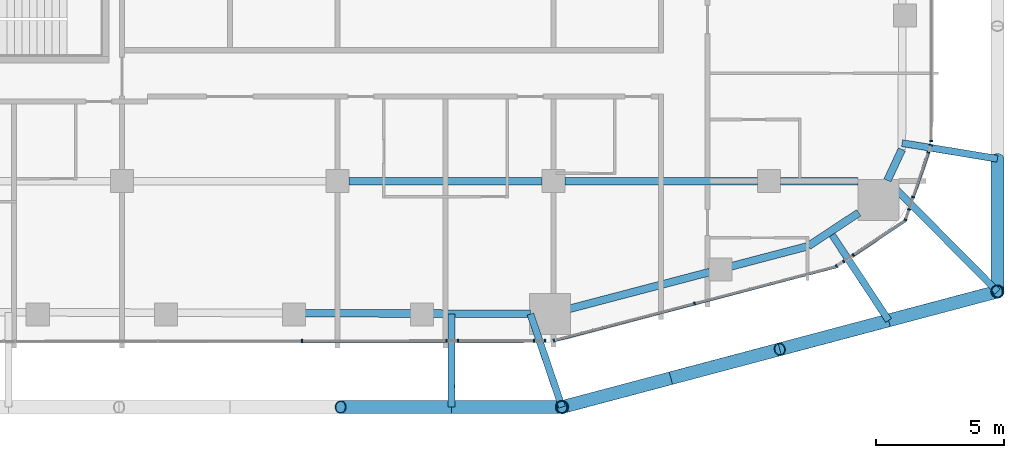
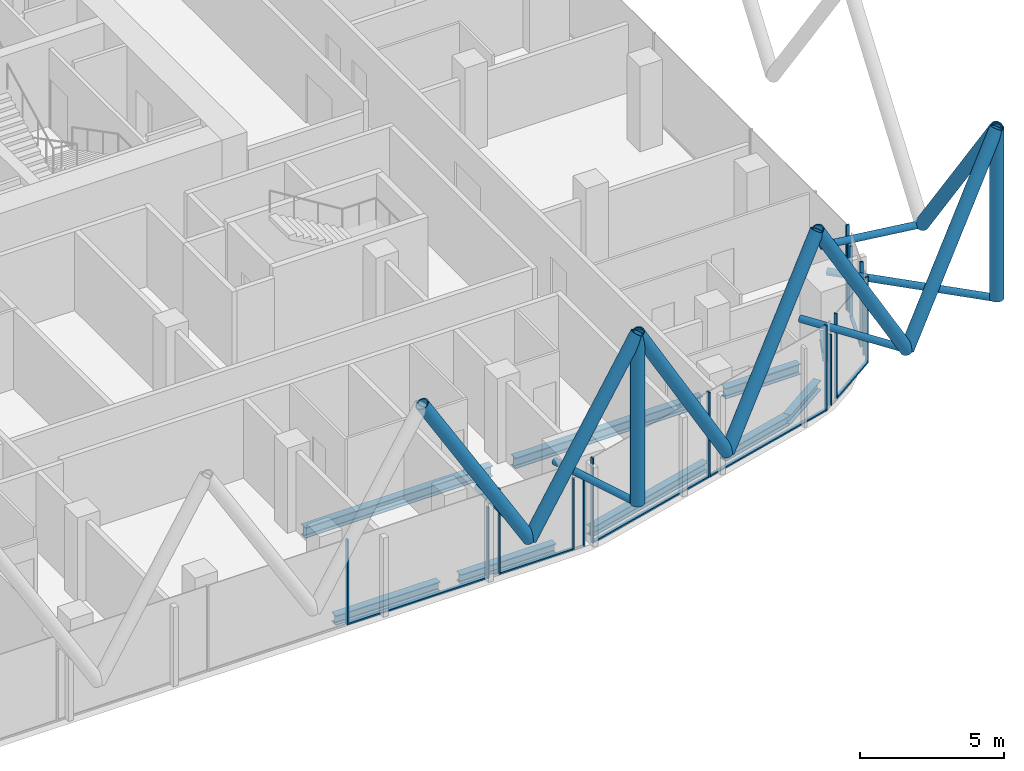
# One storey, part 6 of 36: 36 members, 9 beams, 13 elements without a shape of their own.
"""IFC4 building model written with IfcOpenShell, lengths in metres."""

from ifc_helpers import new_model, si_unit, direction, frame, origin, origin_2d, place, context, subcontext, project, spatial, rectangle, hollow_circle, i_section, extrude, material, layer, layer_set, material_profile, profile_set, type_object, element, aggregate, save


model = new_model("IFC4")

# Units and contexts
model_context = context("Model", 3, precision=1e-05, world=origin(), true_north=direction((0.0, 1.0)))
body_context = subcontext(model_context, "Body", "Model", "MODEL_VIEW")
ifc_project = project(units=[si_unit("LENGTHUNIT", "METRE"), si_unit("AREAUNIT", "SQUARE_METRE"), si_unit("VOLUMEUNIT", "CUBIC_METRE"), si_unit("PLANEANGLEUNIT", "RADIAN"), si_unit("MASSUNIT", "GRAM", prefix="KILO")], contexts=[model_context])

# Site, building, storey
site_placement = place(None, origin())
site = spatial("IfcSite", under=ifc_project, at=site_placement, CompositionType="ELEMENT")
building_placement = place(site_placement, origin())
building = spatial("IfcBuilding", under=site, at=building_placement, Name="Marenta Gate Hotel Tower", CompositionType="ELEMENT")
storey_placement = place(building_placement, frame((0.0, 0.0, 115.699951171875)))
storey = spatial("IfcBuildingStorey", under=building, at=storey_placement, Name="L25", CompositionType="ELEMENT", Elevation=115.699951171875)

# Members
ifc_material_1 = material(Name="Steel S355J2W", Category="steel")
ifc_material_profile_1 = material_profile(ifc_material_1, hollow_circle(Radius=0.25390625, WallThickness=0.02490234375, at=origin_2d()), Name="CHS 508x25")
ifc_profile_set_1 = profile_set([ifc_material_profile_1], Name="Steel S355J2W")
member_type_1 = type_object("IfcMemberType", Name="Diagrid corner post Z2 CHS 508x25", PredefinedType="POST", material=ifc_profile_set_1)
for number, where, z_axis, x_axis, name in (
    (1, (29.89990234375, -21.10009765625, 3.14013671875), (0.0, 0.0, 1.0), (1.0, 0.0, 0.0), "L25-DR-2"),
    (2, (12.93896484375, -25.60009765625, 3.14013671875), (0.0, 0.0, 1.0), (1.0, 0.0, 0.0), "L25-DR-3"),
):
    element("IfcMember", number, at=place(storey_placement, frame(where, z_axis=z_axis, x_axis=x_axis)), inside=storey, type_object=member_type_1, Name=name, PredefinedType="POST", context=body_context, shape_type="SweptSolid", body=[
        extrude(hollow_circle(Radius=0.25390625, WallThickness=0.02490234375, at=origin_2d()), origin(), (0.0, 0.0, 1.0), 7.199951171875),
    ])
ifc_material_2 = material(Name="Steel S355J2W", Category="steel")
ifc_material_profile_2 = material_profile(ifc_material_2, hollow_circle(Radius=0.25390625, WallThickness=0.0400390625, at=origin_2d()), Name="CHS 508x40")
ifc_profile_set_2 = profile_set([ifc_material_profile_2], Name="Steel S355J2W")
member_type_2 = type_object("IfcMemberType", Name="Diagrid diagonal Z2 CHS 508x40", PredefinedType="BRACE", material=ifc_profile_set_2)
member_1_placement = place(storey_placement, frame((29.89990234375, -15.93017578125, 3.14013671875), z_axis=(0.0, -0.583260841117, 0.812284919975), x_axis=(1.0, 0.0, 0.0)))
element("IfcMember", 3, at=member_1_placement, inside=storey, type_object=member_type_2, Name="L25-DG-10", PredefinedType="BRACE", context=body_context, shape_type="SweptSolid", body=[
    extrude(hollow_circle(Radius=0.25390625, WallThickness=0.0400390625, at=origin_2d()), origin(), (0.0, 0.0, 1.0), 8.86376953125),
])
member_2_placement = place(storey_placement, frame((25.659912109375, -22.22509765625, 3.14013671875), z_axis=(0.502902385412, 0.133435492139, 0.853981358218), x_axis=(-0.256456982503, 0.966555645644, 0.0)))
element("IfcMember", 4, at=member_2_placement, inside=storey, type_object=member_type_2, Name="L25-DG-11", PredefinedType="BRACE", context=body_context, shape_type="SweptSolid", body=[
    extrude(hollow_circle(Radius=0.25390625, WallThickness=0.0400390625, at=origin_2d()), origin(), (0.0, 0.0, 1.0), 8.43115234375),
])
member_3_placement = place(storey_placement, frame((25.659912109375, -22.22509765625, 3.14013671875), z_axis=(-0.502945650976, -0.133431605717, 0.853956485285), x_axis=(0.256429393985, -0.966562965306, 0.0)))
element("IfcMember", 5, at=member_3_placement, inside=storey, type_object=member_type_2, Name="L25-DG-12", PredefinedType="BRACE", context=body_context, shape_type="SweptSolid", body=[
    extrude(hollow_circle(Radius=0.25390625, WallThickness=0.0400390625, at=origin_2d()), origin(), (0.0, 0.0, 1.0), 8.431396484375),
])
for number, where, z_axis, x_axis, name in (
    (6, (17.17919921875, -24.47509765625, 3.14013671875), (0.502924018666, 0.133433548941, 0.853968921838), (-0.256443187528, 0.96655930577, 0.0), "L25-DG-13"),
    (7, (17.17919921875, -24.47509765625, 3.14013671875), (-0.502924018666, -0.133433548941, 0.853968921838), (0.256443187528, -0.96655930577, 0.0), "L25-DG-14"),
):
    element("IfcMember", number, at=place(storey_placement, frame(where, z_axis=z_axis, x_axis=x_axis)), inside=storey, type_object=member_type_2, Name=name, PredefinedType="BRACE", context=body_context, shape_type="SweptSolid", body=[
        extrude(hollow_circle(Radius=0.25390625, WallThickness=0.0400390625, at=origin_2d()), origin(), (0.0, 0.0, 1.0), 8.43115234375),
    ])
for number, where, z_axis, x_axis, name in (
    (8, (8.6259765625, -25.60009765625, 3.14013671875), (0.513883902774, 0.0, 0.857859740558), (0.0, 1.0, 0.0), "L25-DG-15"),
    (9, (8.6259765625, -25.60009765625, 3.14013671875), (-0.513883902774, 0.0, 0.857859740558), (0.0, -1.0, 0.0), "L25-DG-16"),
):
    element("IfcMember", number, at=place(storey_placement, frame(where, z_axis=z_axis, x_axis=x_axis)), inside=storey, type_object=member_type_2, Name=name, PredefinedType="BRACE", context=body_context, shape_type="SweptSolid", body=[
        extrude(hollow_circle(Radius=0.25390625, WallThickness=0.0400390625, at=origin_2d()), origin(), (0.0, 0.0, 1.0), 8.392822265625),
    ])

# Beams
ifc_material_3 = material(Name="Steel S355", Category="steel")
ifc_material_profile_3 = material_profile(ifc_material_3, i_section(OverallWidth=0.300048828125, OverallDepth=0.39990234375, WebThickness=0.013427734375, FlangeThickness=0.02392578125, FilletRadius=0.027099609375, at=origin_2d()), Name="HEB 400")
ifc_profile_set_3 = profile_set([ifc_material_profile_3], Name="Steel S355")
beam_type_1 = type_object("IfcBeamType", Name="Edge beam HEB 400", PredefinedType="SPANDREL", material=ifc_profile_set_3)
beam_1_placement = place(storey_placement, frame((26.175048828125, -15.567138671875, -0.4599609375), z_axis=(-0.423207780269, -0.906032656541, 0.0), x_axis=(0.906032656541, -0.423207780269, 0.0)))
element("IfcBeam", 10, at=beam_1_placement, inside=storey, type_object=beam_type_1, Name="L25-EB-28", PredefinedType="SPANDREL", context=body_context, shape_type="SweptSolid", body=[
    extrude(i_section(OverallWidth=0.300048828125, OverallDepth=0.39990234375, WebThickness=0.013427734375, FlangeThickness=0.02392578125, FilletRadius=0.027099609375, at=origin_2d()), origin(), (0.0, 0.0, 1.0), 1.326904296875),
])
beam_2_placement = place(storey_placement, frame((24.496337890625, -18.0322265625, -0.4599609375), z_axis=(-0.834496060599, -0.551013906217, 0.0), x_axis=(0.551013906217, -0.834496060599, 0.0)))
element("IfcBeam", 11, at=beam_2_placement, inside=storey, type_object=beam_type_1, Name="L25-EB-29", PredefinedType="SPANDREL", context=body_context, shape_type="SweptSolid", body=[
    extrude(i_section(OverallWidth=0.300048828125, OverallDepth=0.39990234375, WebThickness=0.013427734375, FlangeThickness=0.02392578125, FilletRadius=0.027099609375, at=origin_2d()), origin(), (0.0, 0.0, 1.0), 2.357177734375),
])
beam_3_placement = place(storey_placement, frame((22.529296875, -19.3310546875, -0.4599609375), z_axis=(-0.967224706208, -0.25392197168, 0.0), x_axis=(0.25392197168, -0.967224706208, 0.0)))
element("IfcBeam", 12, at=beam_3_placement, inside=storey, type_object=beam_type_1, Name="L25-EB-30", PredefinedType="SPANDREL", context=body_context, shape_type="SweptSolid", body=[
    extrude(i_section(OverallWidth=0.300048828125, OverallDepth=0.39990234375, WebThickness=0.013427734375, FlangeThickness=0.02392578125, FilletRadius=0.027099609375, at=origin_2d()), origin(), (0.0, 0.0, 1.0), 3.11328125),
])
beam_4_placement = place(storey_placement, frame((18.695556640625, -20.33740234375, -0.4599609375), z_axis=(-0.96723321901, -0.253889542999, 0.0), x_axis=(0.253889542999, -0.96723321901, 0.0)))
element("IfcBeam", 13, at=beam_4_placement, inside=storey, type_object=beam_type_1, Name="L25-EB-31", PredefinedType="SPANDREL", context=body_context, shape_type="SweptSolid", body=[
    extrude(i_section(OverallWidth=0.300048828125, OverallDepth=0.39990234375, WebThickness=0.013427734375, FlangeThickness=0.02392578125, FilletRadius=0.027099609375, at=origin_2d()), origin(), (0.0, 0.0, 1.0), 5.6533203125),
])
beam_5_placement = place(storey_placement, frame((11.706298828125, -21.97021484375, -0.4599609375), z_axis=(-0.999994883969, 0.003198755307, 0.0), x_axis=(-0.003198755307, -0.999994883969, 0.0)))
element("IfcBeam", 14, at=beam_5_placement, inside=storey, type_object=beam_type_1, Name="L25-EB-32", PredefinedType="SPANDREL", context=body_context, shape_type="SweptSolid", body=[
    extrude(i_section(OverallWidth=0.300048828125, OverallDepth=0.39990234375, WebThickness=0.013427734375, FlangeThickness=0.02392578125, FilletRadius=0.027099609375, at=origin_2d()), origin(), (0.0, 0.0, 1.0), 3.816162109375),
])
beam_6_placement = place(storey_placement, frame((7.070068359375, -21.955322265625, -0.4599609375), z_axis=(-0.999994807487, 0.003222576575, 0.0), x_axis=(-0.003222576575, -0.999994807487, 0.0)))
element("IfcBeam", 15, at=beam_6_placement, inside=storey, type_object=beam_type_1, Name="L25-EB-33", PredefinedType="SPANDREL", context=body_context, shape_type="SweptSolid", body=[
    extrude(i_section(OverallWidth=0.300048828125, OverallDepth=0.39990234375, WebThickness=0.013427734375, FlangeThickness=0.02392578125, FilletRadius=0.027099609375, at=origin_2d()), origin(), (0.0, 0.0, 1.0), 4.166748046875),
])

# Members
ifc_material_4 = material(Name="Steel S355J2W", Category="steel")
ifc_material_profile_4 = material_profile(ifc_material_4, hollow_circle(Radius=0.136474609375, WallThickness=0.012451171875, at=origin_2d()), Name="CHS 273x12.5")
ifc_profile_set_4 = profile_set([ifc_material_profile_4], Name="Steel S355J2W")
member_type_3 = type_object("IfcMemberType", Name="Floor tie CHS 273x12.5", PredefinedType="STRUT", material=ifc_profile_set_4)
member_4_placement = place(storey_placement, frame((29.89990234375, -15.93017578125, 3.14013671875), z_axis=(-0.986724686623, 0.162401948291, 0.0), x_axis=(-0.162401948291, -0.986724686623, 0.0)))
element("IfcMember", 16, at=member_4_placement, inside=storey, type_object=member_type_3, Name="L25-DR-10", PredefinedType="STRUT", context=body_context, shape_type="SweptSolid", body=[
    extrude(hollow_circle(Radius=0.136474609375, WallThickness=0.012451171875, at=origin_2d()), origin(), (0.0, 0.0, 1.0), 3.767333984375),
])
member_5_placement = place(storey_placement, frame((29.89990234375, -21.10009765625, 3.14013671875), z_axis=(-0.703467207322, 0.710727717359, 0.0), x_axis=(-0.710727717359, -0.703467207322, 0.0)))
element("IfcMember", 17, at=member_5_placement, inside=storey, type_object=member_type_3, Name="L25-DR-11", PredefinedType="STRUT", context=body_context, shape_type="SweptSolid", body=[
    extrude(hollow_circle(Radius=0.136474609375, WallThickness=0.012451171875, at=origin_2d()), origin(), (0.0, 0.0, 1.0), 6.086181640625),
])
member_6_placement = place(storey_placement, frame((25.659912109375, -22.22509765625, 3.14013671875), z_axis=(-0.551028164998, 0.834486645417, 0.0), x_axis=(-0.834486645417, -0.551028164998, 0.0)))
element("IfcMember", 18, at=member_6_placement, inside=storey, type_object=member_type_3, Name="L25-DR-12", PredefinedType="STRUT", context=body_context, shape_type="SweptSolid", body=[
    extrude(hollow_circle(Radius=0.136474609375, WallThickness=0.012451171875, at=origin_2d()), origin(), (0.0, 0.0, 1.0), 4.13330078125),
])
member_7_placement = place(storey_placement, frame((12.93896484375, -25.60009765625, 3.14013671875), z_axis=(-0.321582426358, 0.94688158872, 0.0), x_axis=(-0.94688158872, -0.321582426358, 0.0)))
element("IfcMember", 19, at=member_7_placement, inside=storey, type_object=member_type_3, Name="L25-DR-13", PredefinedType="STRUT", context=body_context, shape_type="SweptSolid", body=[
    extrude(hollow_circle(Radius=0.136474609375, WallThickness=0.012451171875, at=origin_2d()), origin(), (0.0, 0.0, 1.0), 3.826171875),
])
member_8_placement = place(storey_placement, frame((8.6259765625, -25.60009765625, 3.14013671875), z_axis=(0.003225789668, 0.999994797127, 0.0), x_axis=(-0.999994797127, 0.003225789668, 0.0)))
element("IfcMember", 20, at=member_8_placement, inside=storey, type_object=member_type_3, Name="L25-DR-14", PredefinedType="STRUT", context=body_context, shape_type="SweptSolid", body=[
    extrude(hollow_circle(Radius=0.136474609375, WallThickness=0.012451171875, at=origin_2d()), origin(), (0.0, 0.0, 1.0), 3.6328125),
])

# Beams
ifc_material_5 = material(Name="Steel S355", Category="steel")
ifc_material_profile_5 = material_profile(ifc_material_5, i_section(OverallWidth=0.300048828125, OverallDepth=0.449951171875, WebThickness=0.013916015625, FlangeThickness=0.02587890625, FilletRadius=0.027099609375, at=origin_2d()), Name="HEB 450")
ifc_profile_set_5 = profile_set([ifc_material_profile_5], Name="Steel S355")
beam_type_2 = type_object("IfcBeamType", Name="Girder HEB 450", PredefinedType="BEAM", material=ifc_profile_set_5)
for number, where, z_axis, x_axis, name in (
    (21, (4.64990234375, -16.800048828125, -0.48486328125), (1.0, 0.0, 0.0), (0.0, 1.0, 0.0), "L25-GD-5"),
    (22, (13.050048828125, -16.800048828125, -0.48486328125), (1.0, 0.0, 0.0), (0.0, 1.0, 0.0), "L25-GD-6"),
):
    element("IfcBeam", number, at=place(storey_placement, frame(where, z_axis=z_axis, x_axis=x_axis)), inside=storey, type_object=beam_type_2, Name=name, PredefinedType="BEAM", context=body_context, shape_type="SweptSolid", body=[
        extrude(i_section(OverallWidth=0.300048828125, OverallDepth=0.449951171875, WebThickness=0.013916015625, FlangeThickness=0.02587890625, FilletRadius=0.027099609375, at=origin_2d()), origin(), (0.0, 0.0, 1.0), 7.5),
    ])
beam_7_placement = place(storey_placement, frame((21.449951171875, -16.800048828125, -0.48486328125), z_axis=(1.0, 0.0, 0.0), x_axis=(0.0, 1.0, 0.0)))
element("IfcBeam", 23, at=beam_7_placement, inside=storey, type_object=beam_type_2, Name="L25-GD-7", PredefinedType="BEAM", context=body_context, shape_type="SweptSolid", body=[
    extrude(i_section(OverallWidth=0.300048828125, OverallDepth=0.449951171875, WebThickness=0.013916015625, FlangeThickness=0.02587890625, FilletRadius=0.027099609375, at=origin_2d()), origin(), (0.0, 0.0, 1.0), 3.012939453125),
])

# Curtain wall, member
ifc_material_6 = material(Name="Tinted insulated glass in bronze anodised frame", Category="glass")
ifc_layer = layer(ifc_material_6, 0.1201171875)
ifc_layer_set = layer_set([ifc_layer], Name="Tinted insulated glass in bronze anodised frame")
curtain_wall_type = type_object("IfcCurtainWallType", Name="Tower unitised curtain wall CW1", PredefinedType="NOTDEFINED", material=ifc_layer_set)
curtain_wall_1_placement = place(storey_placement, origin())
curtain_wall_1 = element("IfcCurtainWall", 24, at=curtain_wall_1_placement, inside=storey, type_object=curtain_wall_type, Name="CW1 run G21", PredefinedType="NOTDEFINED")
ifc_material_7 = material(Name="Bronze anodised aluminium", Category="aluminium")
ifc_material_profile_6 = material_profile(ifc_material_7, rectangle(XDim=0.1201171875, YDim=0.06005859375, at=origin_2d()), Name="Mullion CW1 60x120 bronze anodised aluminium")
ifc_profile_set_6 = profile_set([ifc_material_profile_6], Name="Bronze anodised aluminium")
member_type_4 = type_object("IfcMemberType", Name="Mullion CW1 60x120 bronze anodised aluminium", PredefinedType="MULLION", material=ifc_profile_set_6)
member_9_placement = place(storey_placement, frame((2.80810546875, -23.026611328125, 0.0), z_axis=(0.0, 0.0, 1.0), x_axis=(-0.001363166999, 0.999999070887, 0.0)))
member_9 = element("IfcMember", 25, at=member_9_placement, type_object=member_type_4, Name="CW1 mullion 3", PredefinedType="MULLION", context=body_context, shape_type="SweptSolid", body=[
    extrude(rectangle(XDim=0.1201171875, YDim=0.06005859375, at=origin_2d()), origin(), (0.0, 0.0, 1.0), 3.60009765625),
])

curtain_wall_2_placement = place(storey_placement, origin())
curtain_wall_2 = element("IfcCurtainWall", 26, at=curtain_wall_2_placement, inside=storey, type_object=curtain_wall_type, Name="CW1 run G22", PredefinedType="NOTDEFINED")
member_10_placement = place(storey_placement, frame((8.437744140625, -23.01904296875, 0.0), z_axis=(0.0, 0.0, 1.0), x_axis=(-0.001324502144, 0.999999122847, 0.0)))
member_10 = element("IfcMember", 27, at=member_10_placement, type_object=member_type_4, Name="CW1 mullion 1", PredefinedType="MULLION", context=body_context, shape_type="SweptSolid", body=[
    extrude(rectangle(XDim=0.1201171875, YDim=0.06005859375, at=origin_2d()), origin(), (0.0, 0.0, 1.0), 3.00048828125),
])
aggregate(curtain_wall_2, [member_10])

curtain_wall_3_placement = place(storey_placement, origin())
curtain_wall_3 = element("IfcCurtainWall", 28, at=curtain_wall_3_placement, inside=storey, type_object=curtain_wall_type, Name="CW1 run G23", PredefinedType="NOTDEFINED")
member_11_placement = place(storey_placement, frame((8.890869140625, -23.018310546875, 0.0), z_axis=(0.0, 0.0, 1.0), x_axis=(-0.001384712772, 0.999999041285, 0.0)))
member_11 = element("IfcMember", 29, at=member_11_placement, type_object=member_type_4, Name="CW1 mullion 1", PredefinedType="MULLION", context=body_context, shape_type="SweptSolid", body=[
    extrude(rectangle(XDim=0.1201171875, YDim=0.06005859375, at=origin_2d()), origin(), (0.0, 0.0, 1.0), 3.60009765625),
])

# Curtain wall, members
curtain_wall_4_placement = place(storey_placement, origin())
curtain_wall_4 = element("IfcCurtainWall", 30, at=curtain_wall_4_placement, inside=storey, type_object=curtain_wall_type, Name="CW1 run G24", PredefinedType="NOTDEFINED")
member_12_placement = place(storey_placement, frame((11.851806640625, -23.01416015625, 0.0), z_axis=(0.0, 0.0, 1.0), x_axis=(-0.001254704164, 0.999999212858, 0.0)))
member_12 = element("IfcMember", 31, at=member_12_placement, type_object=member_type_4, Name="CW1 mullion 1", PredefinedType="MULLION", context=body_context, shape_type="SweptSolid", body=[
    extrude(rectangle(XDim=0.1201171875, YDim=0.06005859375, at=origin_2d()), origin(), (0.0, 0.0, 1.0), 3.00048828125),
])
member_13_placement = place(storey_placement, frame((12.27001953125, -23.013671875, 0.0), z_axis=(0.0, 0.0, 1.0), x_axis=(-0.001254704164, 0.999999212858, 0.0)))
member_13 = element("IfcMember", 32, at=member_13_placement, type_object=member_type_4, Name="CW1 mullion 2", PredefinedType="MULLION", context=body_context, shape_type="SweptSolid", body=[
    extrude(rectangle(XDim=0.1201171875, YDim=0.06005859375, at=origin_2d()), origin(), (0.0, 0.0, 1.0), 3.00048828125),
])
aggregate(curtain_wall_4, [member_12, member_13])

curtain_wall_5_placement = place(storey_placement, origin())
curtain_wall_5 = element("IfcCurtainWall", 33, at=curtain_wall_5_placement, inside=storey, type_object=curtain_wall_type, Name="CW1 run G25", PredefinedType="NOTDEFINED")
member_14_placement = place(storey_placement, frame((12.626708984375, -23.005615234375, 0.0), z_axis=(0.0, 0.0, 1.0), x_axis=(-0.253374270473, 0.967368326473, 0.0)))
member_14 = element("IfcMember", 34, at=member_14_placement, type_object=member_type_4, Name="CW1 mullion 1", PredefinedType="MULLION", context=body_context, shape_type="SweptSolid", body=[
    extrude(rectangle(XDim=0.1201171875, YDim=0.06005859375, at=origin_2d()), origin(), (0.0, 0.0, 1.0), 3.60009765625),
])
member_15_placement = place(storey_placement, frame((18.102783203125, -21.571533203125, 0.0), z_axis=(0.0, 0.0, 1.0), x_axis=(-0.253374270473, 0.967368326473, 0.0)))
member_15 = element("IfcMember", 35, at=member_15_placement, type_object=member_type_4, Name="CW1 mullion 2", PredefinedType="MULLION", context=body_context, shape_type="SweptSolid", body=[
    extrude(rectangle(XDim=0.1201171875, YDim=0.06005859375, at=origin_2d()), origin(), (0.0, 0.0, 1.0), 3.60009765625),
])

# Curtain wall, member
curtain_wall_6_placement = place(storey_placement, origin())
curtain_wall_6 = element("IfcCurtainWall", 36, at=curtain_wall_6_placement, inside=storey, type_object=curtain_wall_type, Name="CW1 run G26", PredefinedType="NOTDEFINED")
member_16_placement = place(storey_placement, frame((23.632568359375, -20.113037109375, 0.0), z_axis=(0.0, 0.0, 1.0), x_axis=(-0.553864525199, 0.832606802594, 0.0)))
member_16 = element("IfcMember", 37, at=member_16_placement, type_object=member_type_4, Name="CW1 mullion 1", PredefinedType="MULLION", context=body_context, shape_type="SweptSolid", body=[
    extrude(rectangle(XDim=0.1201171875, YDim=0.06005859375, at=origin_2d()), origin(), (0.0, 0.0, 1.0), 3.60009765625),
])
aggregate(curtain_wall_6, [member_16])

curtain_wall_7_placement = place(storey_placement, origin())
curtain_wall_7 = element("IfcCurtainWall", 38, at=curtain_wall_7_placement, inside=storey, type_object=curtain_wall_type, Name="CW1 run G27", PredefinedType="NOTDEFINED")
member_17_placement = place(storey_placement, frame((23.90869140625, -19.929443359375, 0.0), z_axis=(0.0, 0.0, 1.0), x_axis=(-0.554088731944, 0.832457612814, 0.0)))
member_17 = element("IfcMember", 39, at=member_17_placement, type_object=member_type_4, Name="CW1 mullion 1", PredefinedType="MULLION", context=body_context, shape_type="SweptSolid", body=[
    extrude(rectangle(XDim=0.1201171875, YDim=0.06005859375, at=origin_2d()), origin(), (0.0, 0.0, 1.0), 3.00048828125),
])
aggregate(curtain_wall_7, [member_17])

curtain_wall_8_placement = place(storey_placement, origin())
curtain_wall_8 = element("IfcCurtainWall", 40, at=curtain_wall_8_placement, inside=storey, type_object=curtain_wall_type, Name="CW1 run G28", PredefinedType="NOTDEFINED")
member_18_placement = place(storey_placement, frame((24.28564453125, -19.678466796875, 0.0), z_axis=(0.0, 0.0, 1.0), x_axis=(-0.554023350707, 0.832501127249, 0.0)))
member_18 = element("IfcMember", 41, at=member_18_placement, type_object=member_type_4, Name="CW1 mullion 1", PredefinedType="MULLION", context=body_context, shape_type="SweptSolid", body=[
    extrude(rectangle(XDim=0.1201171875, YDim=0.06005859375, at=origin_2d()), origin(), (0.0, 0.0, 1.0), 3.60009765625),
])

curtain_wall_9_placement = place(storey_placement, origin())
curtain_wall_9 = element("IfcCurtainWall", 42, at=curtain_wall_9_placement, inside=storey, type_object=curtain_wall_type, Name="CW1 run G29", PredefinedType="NOTDEFINED")
member_19_placement = place(storey_placement, frame((26.314453125, -18.30615234375, 0.0), z_axis=(0.0, 0.0, 1.0), x_axis=(-0.946727185016, 0.322036701561, 0.0)))
member_19 = element("IfcMember", 43, at=member_19_placement, type_object=member_type_4, Name="CW1 mullion 1", PredefinedType="MULLION", context=body_context, shape_type="SweptSolid", body=[
    extrude(rectangle(XDim=0.1201171875, YDim=0.06005859375, at=origin_2d()), origin(), (0.0, 0.0, 1.0), 3.60009765625),
])
aggregate(curtain_wall_9, [member_19])

curtain_wall_10_placement = place(storey_placement, origin())
curtain_wall_10 = element("IfcCurtainWall", 44, at=curtain_wall_10_placement, inside=storey, type_object=curtain_wall_type, Name="CW1 run G30", PredefinedType="NOTDEFINED")
member_20_placement = place(storey_placement, frame((26.452392578125, -17.90087890625, 0.0), z_axis=(0.0, 0.0, 1.0), x_axis=(-0.946729383953, 0.322030237029, 0.0)))
member_20 = element("IfcMember", 45, at=member_20_placement, type_object=member_type_4, Name="CW1 mullion 1", PredefinedType="MULLION", context=body_context, shape_type="SweptSolid", body=[
    extrude(rectangle(XDim=0.1201171875, YDim=0.06005859375, at=origin_2d()), origin(), (0.0, 0.0, 1.0), 3.00048828125),
])
aggregate(curtain_wall_10, [member_20])

curtain_wall_11_placement = place(storey_placement, origin())
curtain_wall_11 = element("IfcCurtainWall", 46, at=curtain_wall_11_placement, inside=storey, type_object=curtain_wall_type, Name="CW1 run G31", PredefinedType="NOTDEFINED")
member_21_placement = place(storey_placement, frame((26.615478515625, -17.421630859375, 0.0), z_axis=(0.0, 0.0, 1.0), x_axis=(-0.946728842502, 0.322031828824, 0.0)))
member_21 = element("IfcMember", 47, at=member_21_placement, type_object=member_type_4, Name="CW1 mullion 1", PredefinedType="MULLION", context=body_context, shape_type="SweptSolid", body=[
    extrude(rectangle(XDim=0.1201171875, YDim=0.06005859375, at=origin_2d()), origin(), (0.0, 0.0, 1.0), 3.60009765625),
])

# Curtain wall, members
curtain_wall_12_placement = place(storey_placement, origin())
curtain_wall_12 = element("IfcCurtainWall", 48, at=curtain_wall_12_placement, inside=storey, type_object=curtain_wall_type, Name="CW1 run G32", PredefinedType="NOTDEFINED")
member_22_placement = place(storey_placement, frame((27.205810546875, -15.686279296875, 0.0), z_axis=(0.0, 0.0, 1.0), x_axis=(-0.946726116827, 0.322039841818, 0.0)))
member_22 = element("IfcMember", 49, at=member_22_placement, type_object=member_type_4, Name="CW1 mullion 1", PredefinedType="MULLION", context=body_context, shape_type="SweptSolid", body=[
    extrude(rectangle(XDim=0.1201171875, YDim=0.06005859375, at=origin_2d()), origin(), (0.0, 0.0, 1.0), 3.00048828125),
])
member_23_placement = place(storey_placement, frame((27.304443359375, -15.396484375, 0.0), z_axis=(0.0, 0.0, 1.0), x_axis=(-0.946726116827, 0.322039841818, 0.0)))
member_23 = element("IfcMember", 50, at=member_23_placement, type_object=member_type_4, Name="CW1 mullion 2", PredefinedType="MULLION", context=body_context, shape_type="SweptSolid", body=[
    extrude(rectangle(XDim=0.1201171875, YDim=0.06005859375, at=origin_2d()), origin(), (0.0, 0.0, 1.0), 3.00048828125),
])
aggregate(curtain_wall_12, [member_22, member_23])

# Curtain wall, member
curtain_wall_13_placement = place(storey_placement, origin())
curtain_wall_13 = element("IfcCurtainWall", 51, at=curtain_wall_13_placement, inside=storey, type_object=curtain_wall_type, Name="CW1 run G33", PredefinedType="NOTDEFINED")
member_24_placement = place(storey_placement, frame((27.31396484375, -15.244873046875, 0.0), z_axis=(0.0, 0.0, 1.0), x_axis=(-1.0, 0.0, 0.0)))
member_24 = element("IfcMember", 52, at=member_24_placement, type_object=member_type_4, Name="CW1 mullion 1", PredefinedType="MULLION", context=body_context, shape_type="SweptSolid", body=[
    extrude(rectangle(XDim=0.1201171875, YDim=0.06005859375, at=origin_2d()), origin(), (0.0, 0.0, 1.0), 3.60009765625),
])
aggregate(curtain_wall_13, [member_24])

# Member
ifc_material_8 = material(Name="Bronze anodised aluminium", Category="aluminium")
ifc_material_profile_7 = material_profile(ifc_material_8, rectangle(XDim=0.1201171875, YDim=0.06005859375, at=origin_2d()), Name="Transom CW1 60x120 bronze anodised aluminium")
ifc_profile_set_7 = profile_set([ifc_material_profile_7], Name="Bronze anodised aluminium")
member_type_5 = type_object("IfcMemberType", Name="Transom CW1 60x120 bronze anodised aluminium", PredefinedType="USERDEFINED", material=ifc_profile_set_7)
member_25_placement = place(storey_placement, frame((2.838134765625, -23.026611328125, 0.030029296875), z_axis=(0.999999076732, 0.001358873071, 0.0), x_axis=(-0.001358873071, 0.999999076732, 0.0)))
member_25 = element("IfcMember", 53, at=member_25_placement, type_object=member_type_5, Name="CW1 transom 3.1", ObjectType="TRANSOM", PredefinedType="USERDEFINED", context=body_context, shape_type="SweptSolid", body=[
    extrude(rectangle(XDim=0.1201171875, YDim=0.06005859375, at=origin_2d()), origin(), (0.0, 0.0, 1.0), 5.569580078125),
])

aggregate(curtain_wall_1, [member_9, member_25])

member_26_placement = place(storey_placement, frame((8.9208984375, -23.018310546875, 0.030029296875), z_axis=(0.99999909337, 0.00134657343, 0.0), x_axis=(-0.00134657343, 0.99999909337, 0.0)))
member_26 = element("IfcMember", 54, at=member_26_placement, type_object=member_type_5, Name="CW1 transom 1.1", ObjectType="TRANSOM", PredefinedType="USERDEFINED", context=body_context, shape_type="SweptSolid", body=[
    extrude(rectangle(XDim=0.1201171875, YDim=0.06005859375, at=origin_2d()), origin(), (0.0, 0.0, 1.0), 2.90087890625),
])

aggregate(curtain_wall_3, [member_11, member_26])

member_27_placement = place(storey_placement, frame((12.65576171875, -22.998046875, 0.030029296875), z_axis=(0.967374258372, 0.25335162174, 0.0), x_axis=(-0.25335162174, 0.967374258372, 0.0)))
member_27 = element("IfcMember", 55, at=member_27_placement, type_object=member_type_5, Name="CW1 transom 1.1", ObjectType="TRANSOM", PredefinedType="USERDEFINED", context=body_context, shape_type="SweptSolid", body=[
    extrude(rectangle(XDim=0.1201171875, YDim=0.06005859375, at=origin_2d()), origin(), (0.0, 0.0, 1.0), 5.6005859375),
])

member_28_placement = place(storey_placement, frame((18.1318359375, -21.56396484375, 0.030029296875), z_axis=(0.967364420611, 0.253389182357, 0.0), x_axis=(-0.253389182357, 0.967364420611, 0.0)))
member_28 = element("IfcMember", 56, at=member_28_placement, type_object=member_type_5, Name="CW1 transom 2.1", ObjectType="TRANSOM", PredefinedType="USERDEFINED", context=body_context, shape_type="SweptSolid", body=[
    extrude(rectangle(XDim=0.1201171875, YDim=0.06005859375, at=origin_2d()), origin(), (0.0, 0.0, 1.0), 5.66064453125),
])

aggregate(curtain_wall_5, [member_14, member_15, member_27, member_28])

member_29_placement = place(storey_placement, frame((24.310546875, -19.661865234375, 0.030029296875), z_axis=(0.832520358973, 0.553994451142, 0.0), x_axis=(-0.553994451142, 0.832520358973, 0.0)))
member_29 = element("IfcMember", 57, at=member_29_placement, type_object=member_type_5, Name="CW1 transom 1.1", ObjectType="TRANSOM", PredefinedType="USERDEFINED", context=body_context, shape_type="SweptSolid", body=[
    extrude(rectangle(XDim=0.1201171875, YDim=0.06005859375, at=origin_2d()), origin(), (0.0, 0.0, 1.0), 2.3955078125),
])

aggregate(curtain_wall_8, [member_18, member_29])

member_30_placement = place(storey_placement, frame((26.625, -17.393310546875, 0.030029296875), z_axis=(0.322045894615, 0.946724057876, 0.0), x_axis=(-0.946724057876, 0.322045894615, 0.0)))
member_30 = element("IfcMember", 58, at=member_30_placement, type_object=member_type_5, Name="CW1 transom 1.1", ObjectType="TRANSOM", PredefinedType="USERDEFINED", context=body_context, shape_type="SweptSolid", body=[
    extrude(rectangle(XDim=0.1201171875, YDim=0.06005859375, at=origin_2d()), origin(), (0.0, 0.0, 1.0), 1.773193359375),
])

aggregate(curtain_wall_11, [member_21, member_30])

save(model, "model.ifc")
